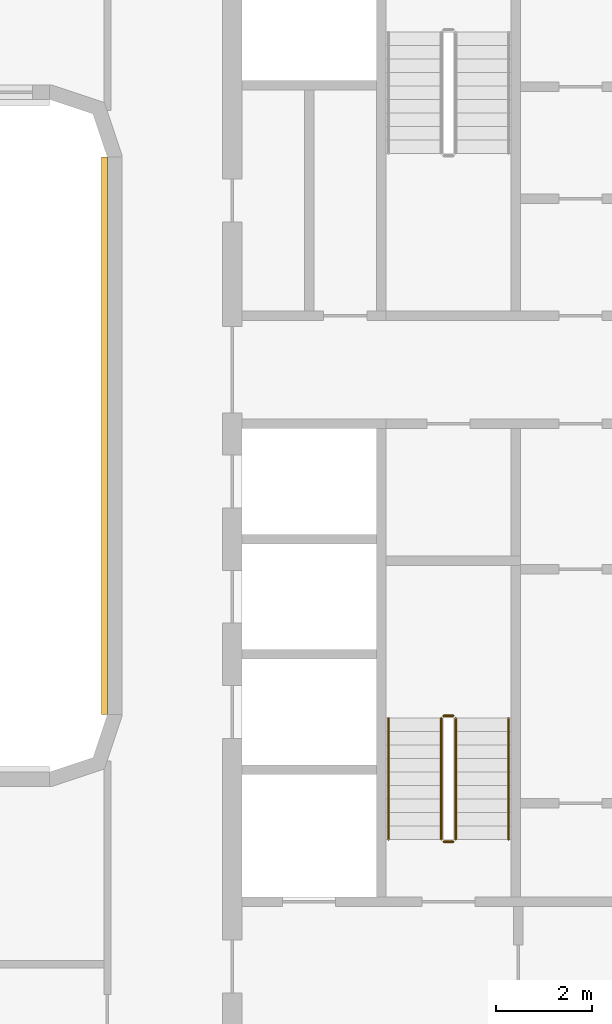
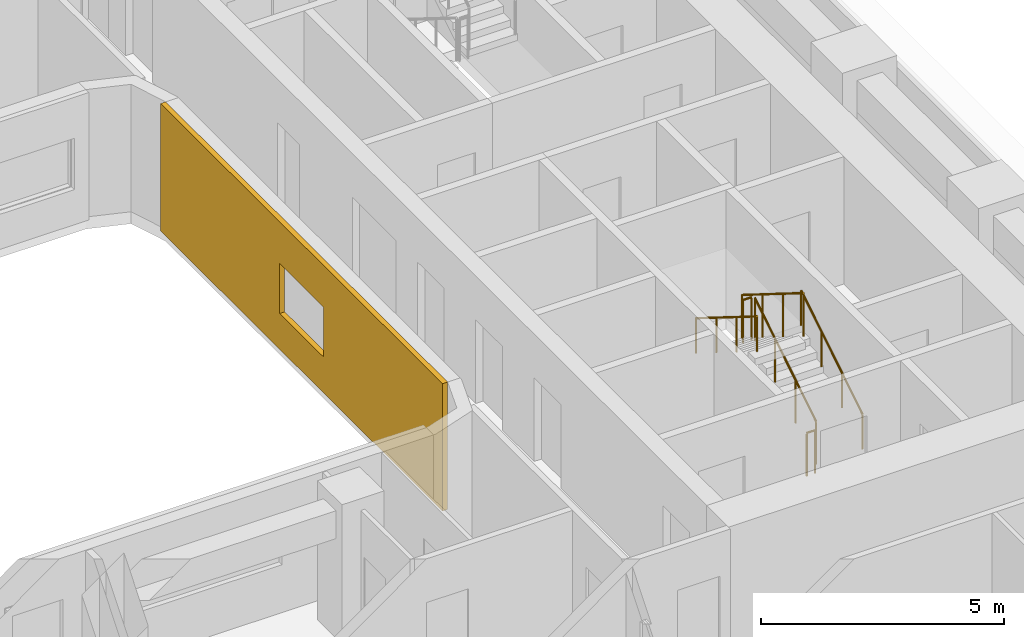
# One storey, part 18 of 23: 6 railings, 1 covering.
"""IFC4 building model written with IfcOpenShell, lengths in metres."""

from ifc_helpers import new_model, si_unit, direction, frame, origin, origin_2d, place, context, subcontext, project, spatial, polyline, circle, outline, extrude, material, layer, layer_set, type_object, element, save


model = new_model("IFC4")

# Units and contexts
model_context = context("Model", 3, precision=1e-05, world=origin(), true_north=direction((0.0, 1.0)))
body_context = subcontext(model_context, "Body", "Model", "MODEL_VIEW")
ifc_project = project(units=[si_unit("LENGTHUNIT", "METRE"), si_unit("AREAUNIT", "SQUARE_METRE"), si_unit("VOLUMEUNIT", "CUBIC_METRE"), si_unit("PLANEANGLEUNIT", "RADIAN"), si_unit("MASSUNIT", "GRAM", prefix="KILO")], contexts=[model_context])

# Site, building, storey
site_placement = place(None, origin())
site = spatial("IfcSite", under=ifc_project, at=site_placement, CompositionType="ELEMENT")
building_placement = place(site_placement, origin())
building = spatial("IfcBuilding", under=site, at=building_placement, Name="Kiln Ring Residences", CompositionType="ELEMENT")
storey_placement = place(building_placement, frame((0.0, 0.0, 86.800048828125)))
storey = spatial("IfcBuildingStorey", under=building, at=storey_placement, Name="L21", CompositionType="ELEMENT", Elevation=86.800048828125)

# Railings
ifc_material_1 = material(Name="Stainless steel", Category="steel")
railing_type_1 = type_object("IfcRailingType", Name="CORE-STAIR-GUARD", PredefinedType="GUARDRAIL", material=ifc_material_1)
railing_1_placement = place(storey_placement, frame((22.25, -8.39990234375, 0.175048828125)))
element("IfcRailing", 1, at=railing_1_placement, inside=storey, type_object=railing_type_1, Name="L21 E-STS stair guard 1", PredefinedType="GUARDRAIL", context=body_context, shape_type="SweptSolid", body=[
    extrude(circle(Radius=0.02392578125, at=origin_2d()), frame((0.0, 0.0, 1.076171875), z_axis=(0.0, 0.848007534815, 0.529984170421), x_axis=(-1.0, 0.0, 0.0)), (0.0, 0.0, 1.0), 2.9716796875),
    extrude(circle(Radius=0.02099609375, at=origin_2d()), origin(), (0.0, 0.0, 1.0), 1.052001953125),
    extrude(circle(Radius=0.02099609375, at=origin_2d()), frame((0.0, 0.840087890625, 0.52490234375)), (0.0, 0.0, 1.0), 1.052001953125),
    extrude(circle(Radius=0.02099609375, at=origin_2d()), frame((0.0, 1.679931640625, 1.050048828125)), (0.0, 0.0, 1.0), 1.052001953125),
    extrude(circle(Radius=0.02099609375, at=origin_2d()), frame((0.0, 2.52001953125, 1.574951171875)), (0.0, 0.0, 1.0), 1.052001953125),
])
railing_2_placement = place(storey_placement, frame((22.199951171875, -5.830078125, 1.75)))
element("IfcRailing", 2, at=railing_2_placement, inside=storey, type_object=railing_type_1, Name="L21 E-STS stair guard 2", PredefinedType="GUARDRAIL", context=body_context, shape_type="SweptSolid", body=[
    extrude(circle(Radius=0.02392578125, at=origin_2d()), frame((0.0, 0.0, 1.076171875), z_axis=(-1.0, 0.0, 0.0), x_axis=(0.0, -1.0, 0.0)), (0.0, 0.0, 1.0), 0.199951171875),
    extrude(circle(Radius=0.02099609375, at=origin_2d()), origin(), (0.0, 0.0, 1.0), 1.052001953125),
    extrude(circle(Radius=0.02099609375, at=origin_2d()), frame((-0.199951171875, 0.0, 0.0)), (0.0, 0.0, 1.0), 1.052001953125),
])
railing_3_placement = place(storey_placement, frame((21.949951171875, -5.8798828125, 1.925048828125)))
element("IfcRailing", 3, at=railing_3_placement, inside=storey, type_object=railing_type_1, Name="L21 E-STS stair guard 3", PredefinedType="GUARDRAIL", context=body_context, shape_type="SweptSolid", body=[
    extrude(circle(Radius=0.02392578125, at=origin_2d()), frame((0.0, 0.0, 1.076171875), z_axis=(0.0, -0.848007534815, 0.529984170421), x_axis=(1.0, 0.0, 0.0)), (0.0, 0.0, 1.0), 2.9716796875),
    extrude(circle(Radius=0.02099609375, at=origin_2d()), origin(), (0.0, 0.0, 1.0), 1.052001953125),
    extrude(circle(Radius=0.02099609375, at=origin_2d()), frame((0.0, -0.840087890625, 0.52490234375)), (0.0, 0.0, 1.0), 1.052001953125),
    extrude(circle(Radius=0.02099609375, at=origin_2d()), frame((0.0, -1.679931640625, 1.050048828125)), (0.0, 0.0, 1.0), 1.052001953125),
    extrude(circle(Radius=0.02099609375, at=origin_2d()), frame((0.0, -2.52001953125, 1.574951171875)), (0.0, 0.0, 1.0), 1.052001953125),
])
railing_4_placement = place(storey_placement, frame((22.199951171875, -8.449951171875, 0.0)))
element("IfcRailing", 4, at=railing_4_placement, inside=storey, type_object=railing_type_1, Name="L21 E-STS stair guard 4", PredefinedType="GUARDRAIL", context=body_context, shape_type="SweptSolid", body=[
    extrude(circle(Radius=0.02392578125, at=origin_2d()), frame((0.0, 0.0, 1.076171875), z_axis=(-1.0, 0.0, 0.0), x_axis=(0.0, -1.0, 0.0)), (0.0, 0.0, 1.0), 0.199951171875),
    extrude(circle(Radius=0.02099609375, at=origin_2d()), origin(), (0.0, 0.0, 1.0), 1.052001953125),
    extrude(circle(Radius=0.02099609375, at=origin_2d()), frame((-0.199951171875, 0.0, 0.0)), (0.0, 0.0, 1.0), 1.052001953125),
])
ifc_material_2 = material(Name="Stainless steel", Category="steel")
railing_type_2 = type_object("IfcRailingType", Name="CORE-STAIR-HANDRAIL", PredefinedType="HANDRAIL", material=ifc_material_2)
railing_5_placement = place(storey_placement, frame((23.35009765625, -8.39990234375, 0.175048828125)))
element("IfcRailing", 5, at=railing_5_placement, inside=storey, type_object=railing_type_2, Name="L21 E-STS stair handrail 1", PredefinedType="HANDRAIL", context=body_context, shape_type="SweptSolid", body=[
    extrude(circle(Radius=0.02392578125, at=origin_2d()), frame((0.0, 0.0, 0.8759765625), z_axis=(0.0, 0.848007534815, 0.529984170421), x_axis=(-1.0, 0.0, 0.0)), (0.0, 0.0, 1.0), 2.9716796875),
    extrude(circle(Radius=0.02099609375, at=origin_2d()), origin(), (0.0, 0.0, 1.0), 0.851806640625),
    extrude(circle(Radius=0.02099609375, at=origin_2d()), frame((0.0, 0.840087890625, 0.52490234375)), (0.0, 0.0, 1.0), 0.851806640625),
    extrude(circle(Radius=0.02099609375, at=origin_2d()), frame((0.0, 1.679931640625, 1.050048828125)), (0.0, 0.0, 1.0), 0.851806640625),
    extrude(circle(Radius=0.02099609375, at=origin_2d()), frame((0.0, 2.52001953125, 1.574951171875)), (0.0, 0.0, 1.0), 0.851806640625),
])
railing_6_placement = place(storey_placement, frame((20.85009765625, -5.8798828125, 1.925048828125)))
element("IfcRailing", 6, at=railing_6_placement, inside=storey, type_object=railing_type_2, Name="L21 E-STS stair handrail 2", PredefinedType="HANDRAIL", context=body_context, shape_type="SweptSolid", body=[
    extrude(circle(Radius=0.02392578125, at=origin_2d()), frame((0.0, 0.0, 0.8759765625), z_axis=(0.0, -0.848007534815, 0.529984170421), x_axis=(1.0, 0.0, 0.0)), (0.0, 0.0, 1.0), 2.9716796875),
    extrude(circle(Radius=0.02099609375, at=origin_2d()), origin(), (0.0, 0.0, 1.0), 0.851806640625),
    extrude(circle(Radius=0.02099609375, at=origin_2d()), frame((0.0, -0.840087890625, 0.52490234375)), (0.0, 0.0, 1.0), 0.851806640625),
    extrude(circle(Radius=0.02099609375, at=origin_2d()), frame((0.0, -1.679931640625, 1.050048828125)), (0.0, 0.0, 1.0), 0.851806640625),
    extrude(circle(Radius=0.02099609375, at=origin_2d()), frame((0.0, -2.52001953125, 1.574951171875)), (0.0, 0.0, 1.0), 0.851806640625),
])

# Covering
ifc_material_3 = material(Name="Brick masonry, dark clay brick", Category="masonry")
ifc_layer = layer(ifc_material_3, 0.1201171875)
ifc_layer_set = layer_set([ifc_layer], Name="RAINSCREEN PANEL 120")
covering_type = type_object("IfcCoveringType", Name="RAINSCREEN PANEL 120", PredefinedType="CLADDING", material=ifc_layer_set)
covering_placement = place(storey_placement, frame((14.93994140625, 5.800048828125, 0.0), z_axis=(0.0, 0.0, 1.0), x_axis=(0.0, -1.0, 0.0)))
element("IfcCovering", 7, at=covering_placement, inside=storey, type_object=covering_type, Name="RAINSCREEN L21", PredefinedType="CLADDING", context=body_context, shape_type="SweptSolid", body=[
    extrude(outline(polyline([(0.0, 0.0), (11.60009765625, 0.0), (11.60009765625, 3.199951171875), (0.0, 3.199951171875), (0.0, 0.0)]), holes=[polyline([(4.89990234375, 2.14990234375), (4.89990234375, 0.89990234375), (6.699951171875, 0.89990234375), (6.699951171875, 2.14990234375), (4.89990234375, 2.14990234375)])]), frame((0.0, 0.06005859375, 0.0), z_axis=(0.0, -1.0, 0.0), x_axis=(1.0, 0.0, 0.0)), (0.0, 0.0, 1.0), 0.1201171875),
])

save(model, "model.ifc")
